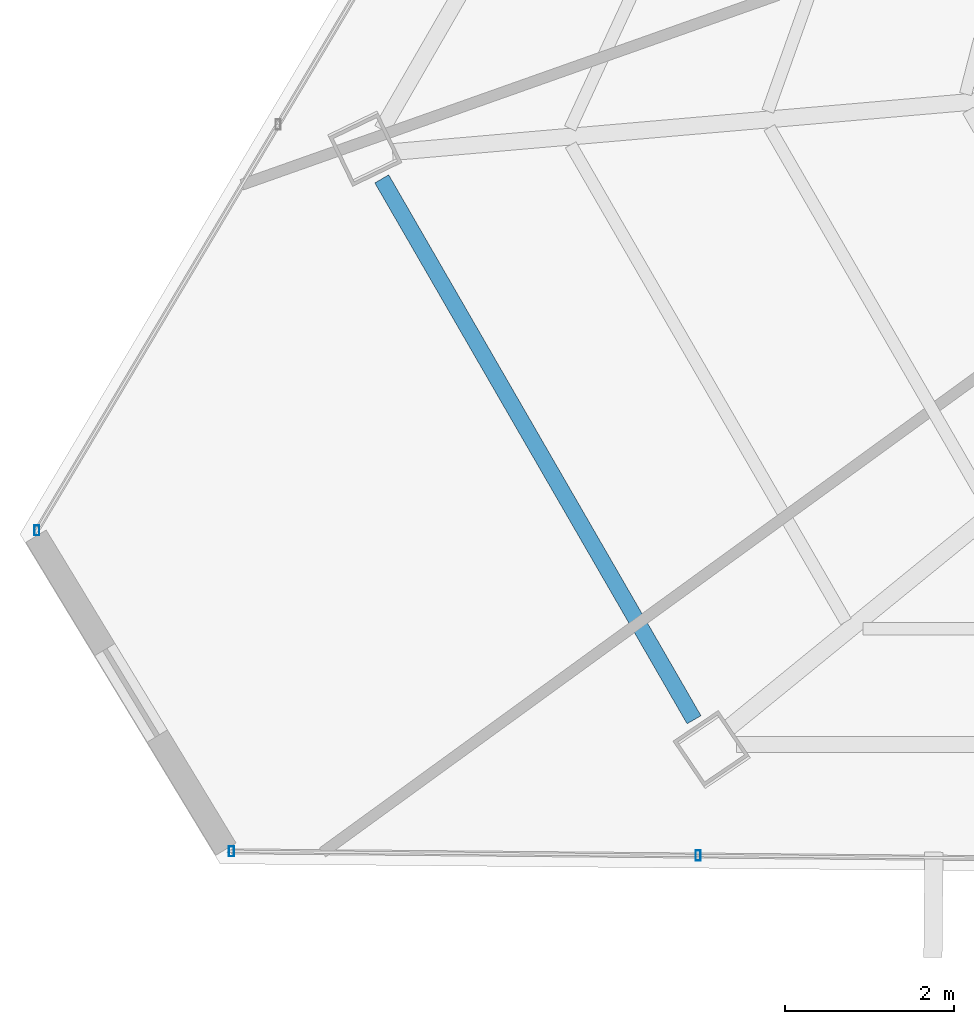
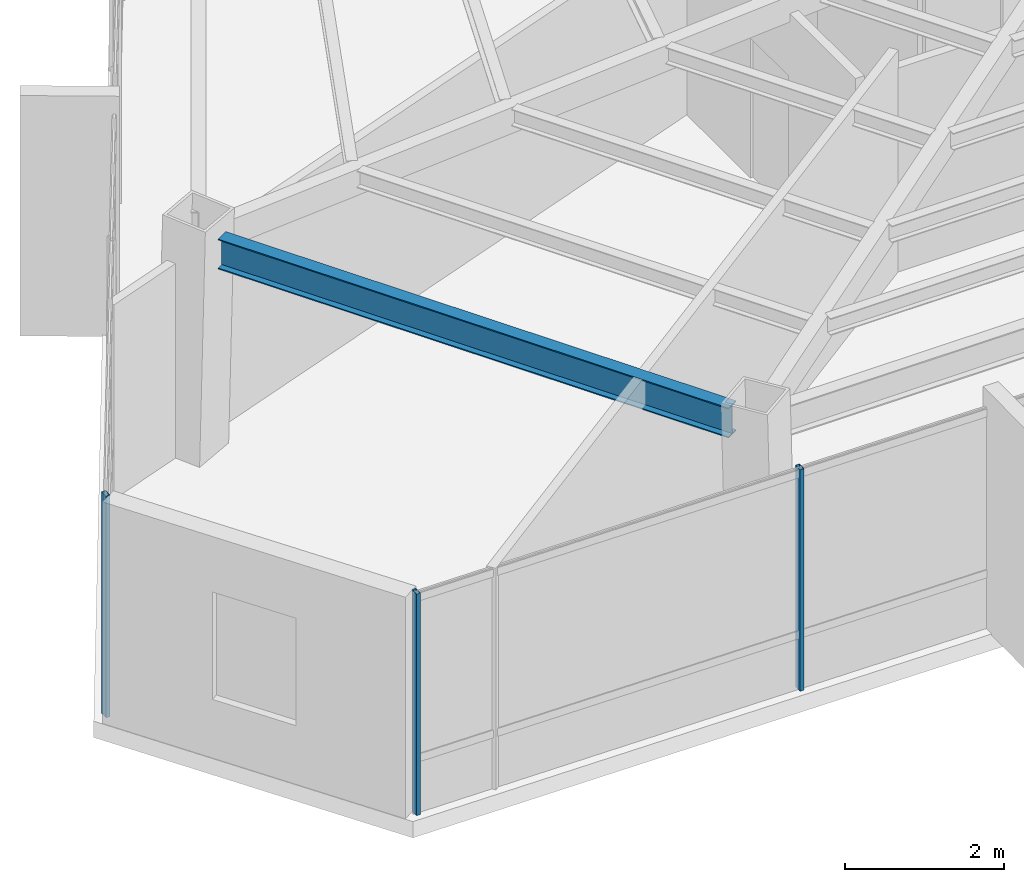
# One storey, part 3 of 42: 3 members, 1 beam, 2 elements without a shape of their own.
"""IFC4 building model written with IfcOpenShell, lengths in metres."""

from ifc_helpers import new_model, si_unit, direction, frame, origin, origin_2d, place, context, subcontext, project, spatial, hollow_rectangle, i_section, extrude, source, transform, mapped, material, material_profile, profile_set, type_object, type_shapes, element, aggregate, save


model = new_model("IFC4")

# Units and contexts
model_context = context("Model", 3, precision=1e-05, world=origin(), true_north=direction((0.0, 1.0)))
body_context = subcontext(model_context, "Body", "Model", "MODEL_VIEW")
ifc_project = project(units=[si_unit("LENGTHUNIT", "METRE"), si_unit("AREAUNIT", "SQUARE_METRE"), si_unit("VOLUMEUNIT", "CUBIC_METRE"), si_unit("PLANEANGLEUNIT", "RADIAN"), si_unit("MASSUNIT", "GRAM", prefix="KILO")], contexts=[model_context])

# Site, building, storey
site_placement = place(None, origin())
site = spatial("IfcSite", under=ifc_project, at=site_placement, CompositionType="ELEMENT")
building_placement = place(site_placement, origin())
building = spatial("IfcBuilding", under=site, at=building_placement, Name="Caelisora Broadcast Tower", CompositionType="ELEMENT")
storey_placement = place(building_placement, frame((0.0, 0.0, 244.449951171875)))
storey = spatial("IfcBuildingStorey", under=building, at=storey_placement, Name="L64", CompositionType="ELEMENT", Elevation=244.449951171875)

# Beam
ifc_material_1 = material(Name="Steel Grade 350 (AS/NZS 3679.1)", Category="steel")
ifc_material_profile_1 = material_profile(ifc_material_1, i_section(OverallWidth=0.19091796875, OverallDepth=0.46044921875, WebThickness=0.010009765625, FlangeThickness=0.01611328125, at=origin_2d()), Name="Steel Grade 350 (AS/NZS 3679.1)")
ifc_profile_set_1 = profile_set([ifc_material_profile_1], Name="Steel Grade 350 (AS/NZS 3679.1)")
beam_type = type_object("IfcBeamType", Name="PG06", PredefinedType="BEAM", material=ifc_profile_set_1)
shared_shape_1 = source(origin(), body_context, "Body", "SweptSolid", [
    extrude(i_section(OverallWidth=0.19091796875, OverallDepth=0.46044921875, WebThickness=0.010009765625, FlangeThickness=0.01611328125, at=origin_2d()), origin(), (0.0, 0.0, 1.0), 7.41259765625),
])
type_shapes(beam_type, [shared_shape_1])
beam_placement = place(storey_placement, frame((16.522705078125, 15.879638671875, 3.169921875), z_axis=(0.500003755259, -0.866023235674, 0.0), x_axis=(0.866023235674, 0.500003755259, 0.0)))
element("IfcBeam", 1, at=beam_placement, inside=storey, type_object=beam_type, Name="L64 beam PG06", PredefinedType="BEAM", context=body_context, shape_type="MappedRepresentation", body=[
    mapped(shared_shape_1, transform((0.0, 0.0, 0.0), scale=1.0)),
])

# Curtain wall, members
ifc_material_2 = material(Name="Unitised Aluminium and Low-E Glass Curtain Wall", Category="glass")
curtain_wall_type = type_object("IfcCurtainWallType", Name="CW-Z5", PredefinedType="NOTDEFINED", material=ifc_material_2)
curtain_wall_1_placement = place(storey_placement, origin())
curtain_wall_1 = element("IfcCurtainWall", 2, at=curtain_wall_1_placement, inside=storey, type_object=curtain_wall_type, Name="L64 curtain wall CW-Z5", PredefinedType="NOTDEFINED")
ifc_material_3 = material(Name="Aluminium 6063-T6 Anodised Terracotta Bronze", Category="aluminium")
ifc_material_profile_2 = material_profile(ifc_material_3, hollow_rectangle(XDim=0.06005859375, YDim=0.1201171875, WallThickness=0.0029296875, at=origin_2d()), Name="Aluminium 6063-T6 Anodised Terracotta Bronze")
ifc_profile_set_2 = profile_set([ifc_material_profile_2], Name="Aluminium 6063-T6 Anodised Terracotta Bronze")
member_type = type_object("IfcMemberType", Name="CWM-04", PredefinedType="MULLION", material=ifc_profile_set_2)
shared_shape_2 = source(origin(), body_context, "Body", "SweptSolid", [
    extrude(hollow_rectangle(XDim=0.06005859375, YDim=0.1201171875, WallThickness=0.0029296875, at=origin_2d()), origin(), (0.0, 0.0, 1.0), 3.400146484375),
])
type_shapes(member_type, [shared_shape_2])
member_1_placement = place(storey_placement, frame((20.2783203125, 7.8486328125, 0.0), z_axis=(0.0, 0.0, 1.0), x_axis=(1.0, 0.0, 0.0)))
member_1 = element("IfcMember", 3, at=member_1_placement, type_object=member_type, Name="L64-CW-B07 mullion #2", PredefinedType="MULLION", context=body_context, shape_type="MappedRepresentation", body=[
    mapped(shared_shape_2, transform((0.0, 0.0, 0.0), scale=1.0)),
])
member_2_placement = place(storey_placement, frame((14.739013671875, 7.8984375, 0.0), z_axis=(0.0, 0.0, 1.0), x_axis=(1.0, 0.0, 0.0)))
member_2 = element("IfcMember", 4, at=member_2_placement, type_object=member_type, Name="L64-CW-B07 mullion #3", PredefinedType="MULLION", context=body_context, shape_type="MappedRepresentation", body=[
    mapped(shared_shape_2, transform((0.0, 0.0, 0.0), scale=1.0)),
])
aggregate(curtain_wall_1, [member_1, member_2])

# Curtain wall, member
curtain_wall_2_placement = place(storey_placement, origin())
curtain_wall_2 = element("IfcCurtainWall", 5, at=curtain_wall_2_placement, inside=storey, type_object=curtain_wall_type, Name="L64 curtain wall CW-Z5", PredefinedType="NOTDEFINED")
member_3_placement = place(storey_placement, frame((12.4296875, 11.7080078125, 0.0), z_axis=(0.0, 0.0, 1.0), x_axis=(1.0, 0.0, 0.0)))
member_3 = element("IfcMember", 6, at=member_3_placement, type_object=member_type, Name="L64-CW-B09 mullion #0", PredefinedType="MULLION", context=body_context, shape_type="MappedRepresentation", body=[
    mapped(shared_shape_2, transform((0.0, 0.0, 0.0), scale=1.0)),
])
aggregate(curtain_wall_2, [member_3])

save(model, "model.ifc")
